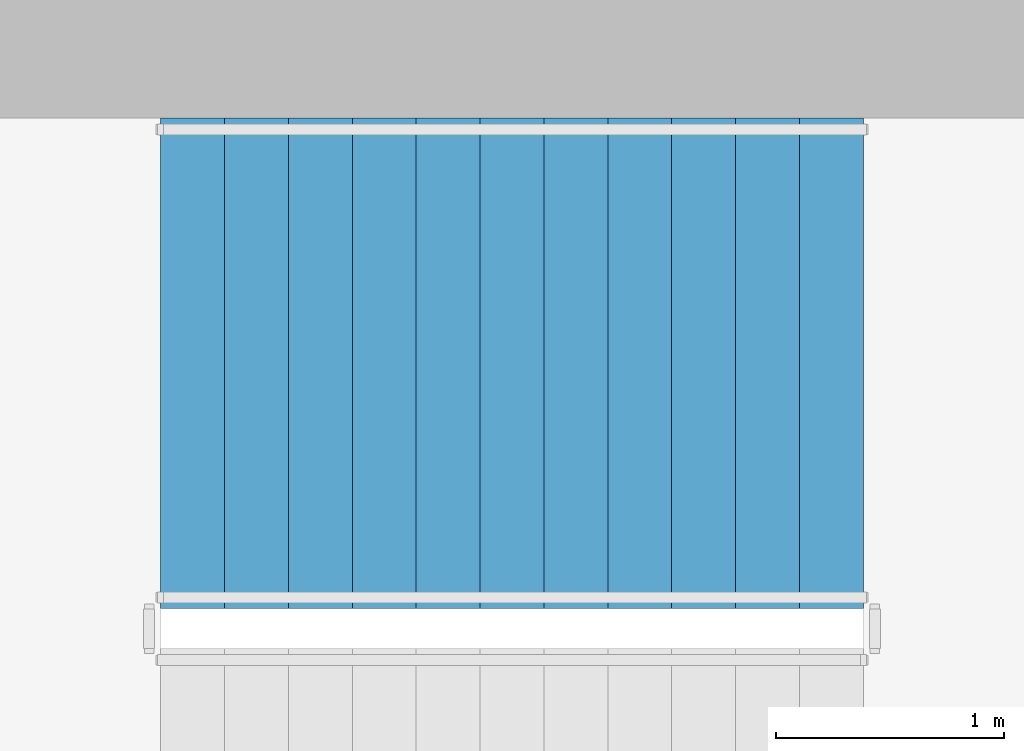
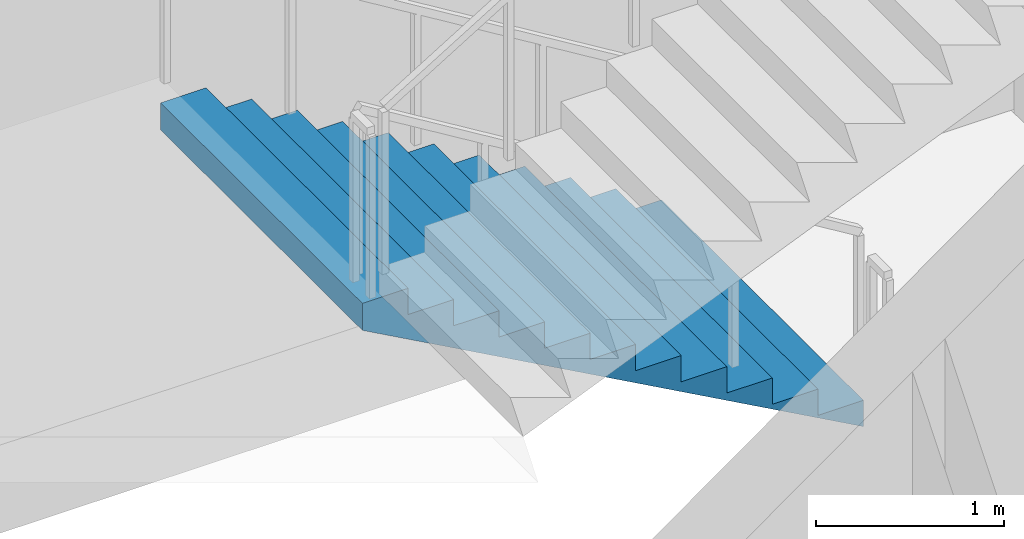
# One storey, part 9 of 14: 1 stair flight, 1 element without a shape of its own.
"""IFC4 building model written with IfcOpenShell, lengths in metres."""

from ifc_helpers import new_model, si_unit, direction, frame, origin, place, context, subcontext, project, spatial, triangles, material, type_object, element, aggregate, save


model = new_model("IFC4")

# Units and contexts
model_context = context("Model", 3, precision=1e-05, world=origin(), true_north=direction((0.0, 1.0)))
body_context = subcontext(model_context, "Body", "Model", "MODEL_VIEW")
ifc_project = project(units=[si_unit("LENGTHUNIT", "METRE"), si_unit("AREAUNIT", "SQUARE_METRE"), si_unit("VOLUMEUNIT", "CUBIC_METRE"), si_unit("PLANEANGLEUNIT", "RADIAN"), si_unit("MASSUNIT", "GRAM", prefix="KILO")], contexts=[model_context])

# Site, building, storey
site_placement = place(None, origin())
site = spatial("IfcSite", under=ifc_project, at=site_placement, CompositionType="ELEMENT")
building_placement = place(site_placement, origin())
building = spatial("IfcBuilding", under=site, at=building_placement, Name="Cypress Arch Tower", CompositionType="ELEMENT")
storey_placement = place(building_placement, frame((0.0, 0.0, 263.89990234375)))
storey = spatial("IfcBuildingStorey", under=building, at=storey_placement, Name="L59", CompositionType="ELEMENT", Elevation=263.89990234375)

# Stair, stair flight
ifc_material_1 = material(Name="Concrete C40/50", Category="concrete")
stair_type = type_object("IfcStairType", Name="Exit stair ES1708-215", PredefinedType="HALF_TURN_STAIR", material=ifc_material_1)
stair_placement = place(storey_placement, origin())
stair = element("IfcStair", 1, at=stair_placement, inside=storey, type_object=stair_type, Name="L59 Exit stair B", PredefinedType="HALF_TURN_STAIR")
ifc_material_2 = material(Name="Concrete C40/50", Category="concrete")
stair_flight_type = type_object("IfcStairFlightType", Name="Exit stair flight ES1708-215", PredefinedType="STRAIGHT", material=ifc_material_2)
stair_flight_placement = place(storey_placement, frame((-22.27490234375, 13.72509765625, 0.0), z_axis=(0.0, 0.0, 1.0), x_axis=(-1.0, 0.0, 0.0)))
stair_flight = element("IfcStairFlight", 2, at=stair_flight_placement, type_object=stair_flight_type, Name="B flight 1", NumberOfRisers=12, NumberOfTreads=11, PredefinedType="STRAIGHT", RiserHeight=0.170833333, TreadLength=0.28, context=body_context, shape_type="Tessellation", body=[
    triangles([(0.0, -1.074951171875, 0.0), (0.000244140625, -1.074951171875, 0.01904296875), (0.000244140625, -1.074951171875, 0.0380859375), (0.00048828125, -1.074951171875, 0.056884765625), (0.00048828125, -1.074951171875, 0.075927734375), (0.00048828125, -1.074951171875, 0.094970703125), (0.00048828125, -1.074951171875, 0.114013671875), (0.000244140625, -1.074951171875, 0.1328125), (0.000244140625, -1.074951171875, 0.15185546875), (0.0, -1.074951171875, 0.1708984375), (0.280029296875, -1.074951171875, 0.1708984375), (0.280029296875, -1.074951171875, 0.341552734375), (0.56005859375, -1.074951171875, 0.341552734375), (0.56005859375, -1.074951171875, 0.512451171875), (0.840087890625, -1.074951171875, 0.512451171875), (0.840087890625, -1.074951171875, 0.683349609375), (1.1201171875, -1.074951171875, 0.683349609375), (1.1201171875, -1.074951171875, 0.854248046875), (1.39990234375, -1.074951171875, 0.854248046875), (1.39990234375, -1.074951171875, 1.02490234375), (1.679931640625, -1.074951171875, 1.02490234375), (1.679931640625, -1.074951171875, 1.19580078125), (1.9599609375, -1.074951171875, 1.19580078125), (1.9599609375, -1.074951171875, 1.36669921875), (2.239990234375, -1.074951171875, 1.36669921875), (2.239990234375, -1.074951171875, 1.53759765625), (2.52001953125, -1.074951171875, 1.53759765625), (2.52001953125, -1.074951171875, 1.708251953125), (2.800048828125, -1.074951171875, 1.708251953125), (2.800048828125, -1.074951171875, 1.879150390625), (3.080078125, -1.074951171875, 1.879150390625), (3.079833984375, -1.074951171875, 1.859619140625), (3.079833984375, -1.074951171875, 1.840087890625), (3.07958984375, -1.074951171875, 1.820556640625), (3.07958984375, -1.074951171875, 1.801025390625), (3.07958984375, -1.074951171875, 1.78173828125), (3.07958984375, -1.074951171875, 1.76220703125), (3.079833984375, -1.074951171875, 1.74267578125), (3.079833984375, -1.074951171875, 1.72314453125), (3.080078125, -1.074951171875, 1.70361328125), (3.080078125, 1.074951171875, 1.70361328125), (3.079833984375, 1.074951171875, 1.72314453125), (3.079833984375, 1.074951171875, 1.74267578125), (3.07958984375, 1.074951171875, 1.76220703125), (3.07958984375, 1.074951171875, 1.78173828125), (3.07958984375, 1.074951171875, 1.801025390625), (3.07958984375, 1.074951171875, 1.820556640625), (3.079833984375, 1.074951171875, 1.840087890625), (3.079833984375, 1.074951171875, 1.859619140625), (3.080078125, 1.074951171875, 1.879150390625), (2.800048828125, 1.074951171875, 1.879150390625), (2.800048828125, 1.074951171875, 1.708251953125), (2.52001953125, 1.074951171875, 1.708251953125), (2.52001953125, 1.074951171875, 1.53759765625), (2.239990234375, 1.074951171875, 1.53759765625), (2.239990234375, 1.074951171875, 1.36669921875), (1.9599609375, 1.074951171875, 1.36669921875), (1.9599609375, 1.074951171875, 1.19580078125), (1.679931640625, 1.074951171875, 1.19580078125), (1.679931640625, 1.074951171875, 1.02490234375), (1.39990234375, 1.074951171875, 1.02490234375), (1.39990234375, 1.074951171875, 0.854248046875), (1.1201171875, 1.074951171875, 0.854248046875), (1.1201171875, 1.074951171875, 0.683349609375), (0.840087890625, 1.074951171875, 0.683349609375), (0.840087890625, 1.074951171875, 0.512451171875), (0.56005859375, 1.074951171875, 0.512451171875), (0.56005859375, 1.074951171875, 0.341552734375), (0.280029296875, 1.074951171875, 0.341552734375), (0.280029296875, 1.074951171875, 0.1708984375), (0.0, 1.074951171875, 0.1708984375), (0.000244140625, 1.074951171875, 0.15185546875), (0.000244140625, 1.074951171875, 0.1328125), (0.00048828125, 1.074951171875, 0.114013671875), (0.00048828125, 1.074951171875, 0.094970703125), (0.00048828125, 1.074951171875, 0.075927734375), (0.00048828125, 1.074951171875, 0.056884765625), (0.000244140625, 1.074951171875, 0.0380859375), (0.000244140625, 1.074951171875, 0.01904296875), (0.0, 1.074951171875, 0.0)], [[40, 39, 30], [39, 38, 30], [38, 37, 30], [37, 36, 30], [36, 35, 30], [35, 34, 30], [34, 33, 30], [33, 32, 30], [32, 31, 30], [19, 18, 17], [27, 26, 25], [25, 24, 23], [23, 22, 21], [17, 16, 15], [15, 14, 13], [10, 9, 11], [9, 8, 11], [8, 7, 11], [7, 6, 11], [6, 5, 11], [5, 4, 11], [4, 3, 11], [3, 2, 11], [2, 1, 11], [29, 28, 27], [21, 20, 19], [13, 12, 11], [40, 30, 29], [40, 29, 27], [40, 27, 25], [40, 25, 23], [40, 23, 21], [40, 21, 19], [40, 19, 17], [40, 17, 15], [40, 15, 13], [1, 40, 13], [13, 11, 1], [41, 51, 42], [42, 51, 43], [43, 51, 44], [44, 51, 45], [45, 51, 46], [46, 51, 47], [47, 51, 48], [48, 51, 49], [49, 51, 50], [62, 64, 63], [54, 56, 55], [56, 58, 57], [58, 60, 59], [64, 66, 65], [66, 68, 67], [71, 70, 72], [72, 70, 73], [73, 70, 74], [74, 70, 75], [75, 70, 76], [76, 70, 77], [77, 70, 78], [78, 70, 79], [79, 70, 80], [52, 54, 53], [60, 62, 61], [68, 70, 69], [41, 52, 51], [41, 54, 52], [41, 56, 54], [41, 58, 56], [41, 60, 58], [41, 62, 60], [41, 64, 62], [41, 66, 64], [41, 68, 66], [80, 68, 41], [68, 80, 70], [41, 42, 39], [41, 39, 40], [42, 43, 38], [42, 38, 39], [43, 44, 37], [43, 37, 38], [44, 45, 36], [44, 36, 37], [45, 46, 35], [45, 35, 36], [46, 47, 34], [46, 34, 35], [47, 48, 33], [47, 33, 34], [48, 49, 32], [48, 32, 33], [49, 50, 31], [49, 31, 32], [50, 51, 30], [50, 30, 31], [51, 52, 29], [51, 29, 30], [52, 53, 28], [52, 28, 29], [53, 54, 27], [53, 27, 28], [54, 55, 26], [54, 26, 27], [55, 56, 25], [55, 25, 26], [56, 57, 24], [56, 24, 25], [57, 58, 23], [57, 23, 24], [58, 59, 22], [58, 22, 23], [59, 60, 21], [59, 21, 22], [60, 61, 20], [60, 20, 21], [61, 62, 19], [61, 19, 20], [62, 63, 18], [62, 18, 19], [63, 64, 17], [63, 17, 18], [64, 65, 16], [64, 16, 17], [65, 66, 15], [65, 15, 16], [66, 67, 14], [66, 14, 15], [67, 68, 13], [67, 13, 14], [68, 69, 12], [68, 12, 13], [69, 70, 11], [69, 11, 12], [70, 71, 10], [70, 10, 11], [71, 72, 9], [71, 9, 10], [72, 73, 8], [72, 8, 9], [73, 74, 7], [73, 7, 8], [74, 75, 6], [74, 6, 7], [75, 76, 5], [75, 5, 6], [76, 77, 4], [76, 4, 5], [77, 78, 3], [77, 3, 4], [78, 79, 2], [78, 2, 3], [79, 80, 1], [79, 1, 2], [80, 41, 40], [80, 40, 1]], closed=True),
])
aggregate(stair, [stair_flight])

save(model, "model.ifc")
